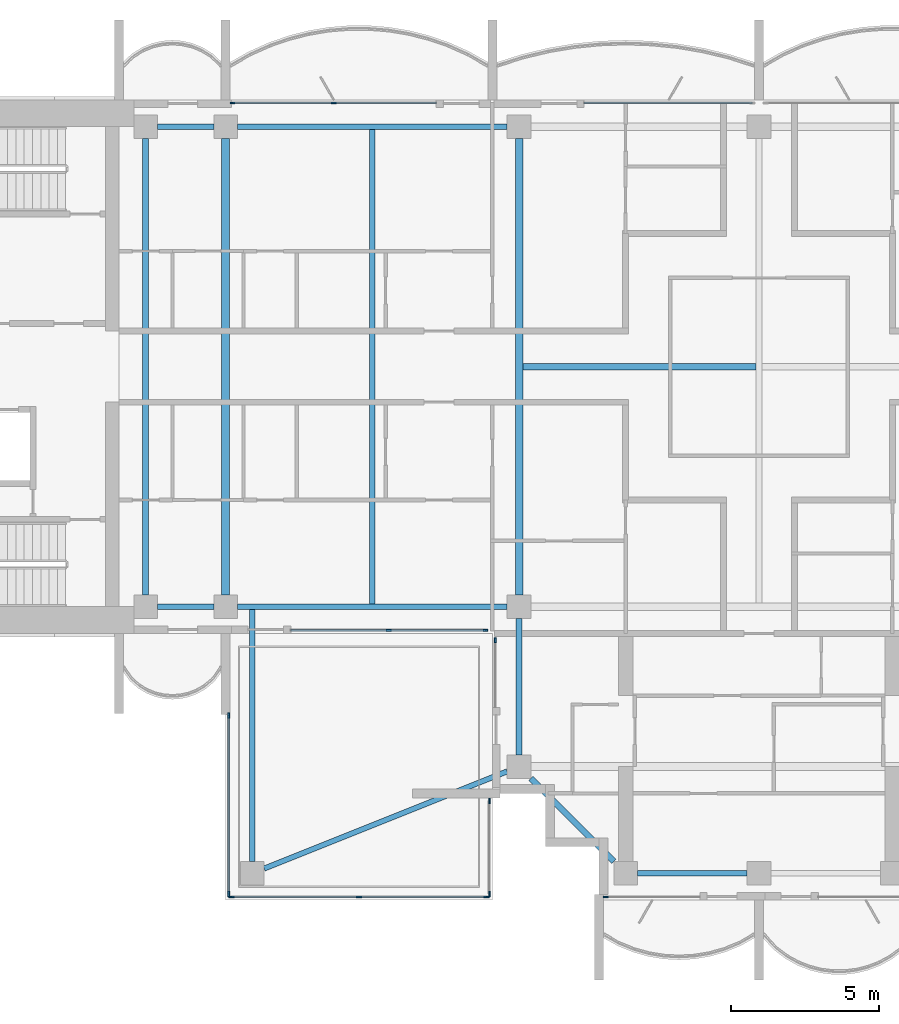
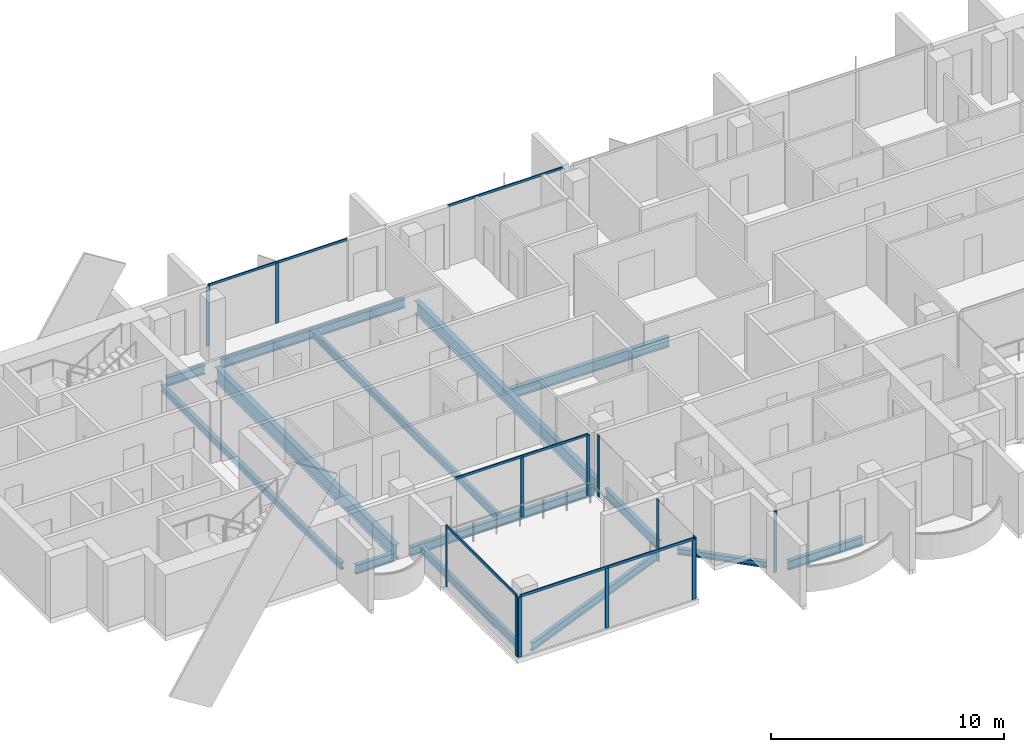
# One storey, part 2 of 18: 18 members, 14 beams, 8 elements without a shape of their own.
"""IFC4 building model written with IfcOpenShell, lengths in metres."""

from ifc_helpers import new_model, si_unit, direction, frame, origin, origin_2d, place, context, subcontext, project, spatial, rectangle, i_section, extrude, material, material_profile, profile_set, type_object, element, aggregate, save


model = new_model("IFC4")

# Units and contexts
model_context = context("Model", 3, precision=1e-05, world=origin(), true_north=direction((0.0, 1.0)))
body_context = subcontext(model_context, "Body", "Model", "MODEL_VIEW")
ifc_project = project(units=[si_unit("LENGTHUNIT", "METRE"), si_unit("AREAUNIT", "SQUARE_METRE"), si_unit("VOLUMEUNIT", "CUBIC_METRE"), si_unit("PLANEANGLEUNIT", "RADIAN"), si_unit("MASSUNIT", "GRAM", prefix="KILO")], contexts=[model_context])

# Site, building, storey
site_placement = place(None, origin())
site = spatial("IfcSite", under=ifc_project, at=site_placement, CompositionType="ELEMENT")
building_placement = place(site_placement, origin())
building = spatial("IfcBuilding", under=site, at=building_placement, Name="Perihelion Cross Residences", CompositionType="ELEMENT")
storey_placement = place(building_placement, frame((0.0, 0.0, 281.5)))
storey = spatial("IfcBuildingStorey", under=building, at=storey_placement, Name="L72", CompositionType="ELEMENT", Elevation=281.5)

# Curtain wall, members
ifc_material_1 = material(Name="Bronze anodised aluminium, tinted glazing", Category="aluminium")
curtain_wall_type_1 = type_object("IfcCurtainWallType", Name="CW1", PredefinedType="NOTDEFINED", material=ifc_material_1)
curtain_wall_1_placement = place(storey_placement, origin())
curtain_wall_1 = element("IfcCurtainWall", 1, at=curtain_wall_1_placement, inside=storey, type_object=curtain_wall_type_1, Name="Curtain wall CW1 L72 west side north bay 1", PredefinedType="NOTDEFINED")
ifc_material_2 = material(Name="Bronze anodised aluminium", Category="aluminium")
ifc_material_profile_1 = material_profile(ifc_material_2, rectangle(XDim=0.06005859375, YDim=0.159912109375, at=origin_2d()), Name="CW1 mullion")
ifc_profile_set_1 = profile_set([ifc_material_profile_1], Name="Bronze anodised aluminium")
member_type_1 = type_object("IfcMemberType", Name="CW1 mullion", PredefinedType="MULLION", material=ifc_profile_set_1)
member_1_placement = place(storey_placement, frame((-14.35009765625, 8.89990234375, 0.0), z_axis=(0.0, 0.0, 1.0), x_axis=(0.0, -1.0, 0.0)))
member_1 = element("IfcMember", 2, at=member_1_placement, type_object=member_type_1, Name="CW1 mullion 2", PredefinedType="MULLION", context=body_context, shape_type="SweptSolid", body=[
    extrude(rectangle(XDim=0.06005859375, YDim=0.159912109375, at=origin_2d()), origin(), (0.0, 0.0, 1.0), 3.139892578125),
])
member_2_placement = place(storey_placement, frame((-17.77001953125, 8.89990234375, 0.0), z_axis=(0.0, 0.0, 1.0), x_axis=(0.0, -1.0, 0.0)))
member_2 = element("IfcMember", 3, at=member_2_placement, type_object=member_type_1, Name="CW1 mullion 3", PredefinedType="MULLION", context=body_context, shape_type="SweptSolid", body=[
    extrude(rectangle(XDim=0.06005859375, YDim=0.159912109375, at=origin_2d()), origin(), (0.0, 0.0, 1.0), 3.139892578125),
])

curtain_wall_2_placement = place(storey_placement, origin())
curtain_wall_2 = element("IfcCurtainWall", 4, at=curtain_wall_2_placement, inside=storey, type_object=curtain_wall_type_1, Name="Curtain wall CW1 L72 west side south bay 2", PredefinedType="NOTDEFINED")
member_3_placement = place(storey_placement, frame((-12.5, -8.89990234375, 0.0), z_axis=(0.0, 0.0, 1.0), x_axis=(0.0, 1.0, 0.0)))
member_3 = element("IfcMember", 5, at=member_3_placement, type_object=member_type_1, Name="CW1 mullion 2", PredefinedType="MULLION", context=body_context, shape_type="SweptSolid", body=[
    extrude(rectangle(XDim=0.06005859375, YDim=0.159912109375, at=origin_2d()), origin(), (0.0, 0.0, 1.0), 3.139892578125),
])
member_4_placement = place(storey_placement, frame((-9.22998046875, -8.89990234375, 0.0), z_axis=(0.0, 0.0, 1.0), x_axis=(0.0, 1.0, 0.0)))
member_4 = element("IfcMember", 6, at=member_4_placement, type_object=member_type_1, Name="CW1 mullion 3", PredefinedType="MULLION", context=body_context, shape_type="SweptSolid", body=[
    extrude(rectangle(XDim=0.06005859375, YDim=0.159912109375, at=origin_2d()), origin(), (0.0, 0.0, 1.0), 3.139892578125),
])

# Curtain wall, member
curtain_wall_3_placement = place(storey_placement, origin())
curtain_wall_3 = element("IfcCurtainWall", 7, at=curtain_wall_3_placement, inside=storey, type_object=curtain_wall_type_1, Name="Curtain wall CW1 L72 south side west bay 1", PredefinedType="NOTDEFINED")
member_5_placement = place(storey_placement, frame((-8.89990234375, -9.22998046875, 0.0), z_axis=(0.0, 0.0, 1.0), x_axis=(1.0, 0.0, 0.0)))
member_5 = element("IfcMember", 8, at=member_5_placement, type_object=member_type_1, Name="CW1 mullion 1", PredefinedType="MULLION", context=body_context, shape_type="SweptSolid", body=[
    extrude(rectangle(XDim=0.06005859375, YDim=0.159912109375, at=origin_2d()), origin(), (0.0, 0.0, 1.0), 3.199951171875),
])
aggregate(curtain_wall_3, [member_5])

curtain_wall_4_placement = place(storey_placement, origin())
curtain_wall_4 = element("IfcCurtainWall", 9, at=curtain_wall_4_placement, inside=storey, type_object=curtain_wall_type_1, Name="Curtain wall CW1 L72 south tip south bay 1", PredefinedType="NOTDEFINED")
member_6_placement = place(storey_placement, frame((-5.169921875, -17.89990234375, 0.0), z_axis=(0.0, 0.0, 1.0), x_axis=(0.0, 1.0, 0.0)))
member_6 = element("IfcMember", 10, at=member_6_placement, type_object=member_type_1, Name="CW1 mullion 1", PredefinedType="MULLION", context=body_context, shape_type="SweptSolid", body=[
    extrude(rectangle(XDim=0.06005859375, YDim=0.159912109375, at=origin_2d()), origin(), (0.0, 0.0, 1.0), 3.199951171875),
])
aggregate(curtain_wall_4, [member_6])

curtain_wall_5_placement = place(storey_placement, origin())
curtain_wall_5 = element("IfcCurtainWall", 11, at=curtain_wall_5_placement, inside=storey, type_object=curtain_wall_type_1, Name="Curtain wall CW1 L72 north side east bay 2", PredefinedType="NOTDEFINED")
ifc_material_3 = material(Name="Bronze anodised aluminium", Category="aluminium")
ifc_material_profile_2 = material_profile(ifc_material_3, rectangle(XDim=0.06005859375, YDim=0.1201171875, at=origin_2d()), Name="CW1 transom")
ifc_profile_set_2 = profile_set([ifc_material_profile_2], Name="Bronze anodised aluminium")
member_type_2 = type_object("IfcMemberType", Name="CW1 transom", PredefinedType="USERDEFINED", material=ifc_profile_set_2)
member_7_placement = place(storey_placement, frame((-0.22998046875, 8.89990234375, 3.169921875), z_axis=(-1.0, 0.0, 0.0), x_axis=(0.0, -1.0, 0.0)))
member_7 = element("IfcMember", 12, at=member_7_placement, type_object=member_type_2, Name="CW1 head transom", ObjectType="TRANSOM", PredefinedType="USERDEFINED", context=body_context, shape_type="SweptSolid", body=[
    extrude(rectangle(XDim=0.06005859375, YDim=0.1201171875, at=origin_2d()), origin(), (0.0, 0.0, 1.0), 5.669921875),
])
aggregate(curtain_wall_5, [member_7])

# Member
member_8_placement = place(storey_placement, frame((-10.89990234375, 8.89990234375, 3.169921875), z_axis=(-1.0, 0.0, 0.0), x_axis=(0.0, -1.0, 0.0)))
member_8 = element("IfcMember", 13, at=member_8_placement, type_object=member_type_2, Name="CW1 head transom", ObjectType="TRANSOM", PredefinedType="USERDEFINED", context=body_context, shape_type="SweptSolid", body=[
    extrude(rectangle(XDim=0.06005859375, YDim=0.1201171875, at=origin_2d()), origin(), (0.0, 0.0, 1.0), 6.8701171875),
])

aggregate(curtain_wall_1, [member_1, member_2, member_8])

member_9_placement = place(storey_placement, frame((-15.800048828125, -8.89990234375, 3.169921875), z_axis=(1.0, 0.0, 0.0), x_axis=(0.0, 1.0, 0.0)))
member_9 = element("IfcMember", 14, at=member_9_placement, type_object=member_type_2, Name="CW1 head transom", ObjectType="TRANSOM", PredefinedType="USERDEFINED", context=body_context, shape_type="SweptSolid", body=[
    extrude(rectangle(XDim=0.06005859375, YDim=0.1201171875, at=origin_2d()), origin(), (0.0, 0.0, 1.0), 6.570068359375),
])

aggregate(curtain_wall_2, [member_3, member_4, member_9])

# Curtain wall, members
ifc_material_4 = material(Name="Bronze anodised aluminium, tinted glazing", Category="aluminium")
curtain_wall_type_2 = type_object("IfcCurtainWallType", Name="CW4", PredefinedType="NOTDEFINED", material=ifc_material_4)
curtain_wall_6_placement = place(storey_placement, origin())
curtain_wall_6 = element("IfcCurtainWall", 15, at=curtain_wall_6_placement, inside=storey, type_object=curtain_wall_type_2, Name="Curtain wall CW4 L72 pocket south-west 1 1", PredefinedType="NOTDEFINED")
ifc_material_5 = material(Name="Bronze anodised aluminium", Category="aluminium")
ifc_material_profile_3 = material_profile(ifc_material_5, rectangle(XDim=0.06005859375, YDim=0.179931640625, at=origin_2d()), Name="CW4 mullion")
ifc_profile_set_3 = profile_set([ifc_material_profile_3], Name="Bronze anodised aluminium")
member_type_3 = type_object("IfcMemberType", Name="CW4 mullion", PredefinedType="MULLION", material=ifc_profile_set_3)
member_10_placement = place(storey_placement, frame((-9.10009765625, -14.658935546875, 0.0), z_axis=(0.0, 0.0, 1.0), x_axis=(1.0, 0.0, 0.0)))
member_10 = element("IfcMember", 16, at=member_10_placement, type_object=member_type_3, Name="CW4 mullion 1", PredefinedType="MULLION", context=body_context, shape_type="SweptSolid", body=[
    extrude(rectangle(XDim=0.06005859375, YDim=0.179931640625, at=origin_2d()), origin(), (0.0, 0.0, 1.0), 3.199951171875),
])
member_11_placement = place(storey_placement, frame((-9.10009765625, -17.800048828125, 0.0), z_axis=(0.0, 0.0, 1.0), x_axis=(1.0, 0.0, 0.0)))
member_11 = element("IfcMember", 17, at=member_11_placement, type_object=member_type_3, Name="CW4 mullion 2", PredefinedType="MULLION", context=body_context, shape_type="SweptSolid", body=[
    extrude(rectangle(XDim=0.06005859375, YDim=0.179931640625, at=origin_2d()), origin(), (0.0, 0.0, 1.0), 3.199951171875),
])
aggregate(curtain_wall_6, [member_10, member_11])

curtain_wall_7_placement = place(storey_placement, origin())
curtain_wall_7 = element("IfcCurtainWall", 18, at=curtain_wall_7_placement, inside=storey, type_object=curtain_wall_type_2, Name="Curtain wall CW4 L72 pocket south-west 1 2", PredefinedType="NOTDEFINED")
member_12_placement = place(storey_placement, frame((-9.199951171875, -17.89990234375, 0.0), z_axis=(0.0, 0.0, 1.0), x_axis=(0.0, -1.0, 0.0)))
member_12 = element("IfcMember", 19, at=member_12_placement, type_object=member_type_3, Name="CW4 mullion 1", PredefinedType="MULLION", context=body_context, shape_type="SweptSolid", body=[
    extrude(rectangle(XDim=0.06005859375, YDim=0.179931640625, at=origin_2d()), origin(), (0.0, 0.0, 1.0), 3.139892578125),
])
member_13_placement = place(storey_placement, frame((-13.5, -17.89990234375, 0.0), z_axis=(0.0, 0.0, 1.0), x_axis=(0.0, -1.0, 0.0)))
member_13 = element("IfcMember", 20, at=member_13_placement, type_object=member_type_3, Name="CW4 mullion 2", PredefinedType="MULLION", context=body_context, shape_type="SweptSolid", body=[
    extrude(rectangle(XDim=0.06005859375, YDim=0.179931640625, at=origin_2d()), origin(), (0.0, 0.0, 1.0), 3.139892578125),
])
member_14_placement = place(storey_placement, frame((-17.800048828125, -17.89990234375, 0.0), z_axis=(0.0, 0.0, 1.0), x_axis=(0.0, -1.0, 0.0)))
member_14 = element("IfcMember", 21, at=member_14_placement, type_object=member_type_3, Name="CW4 mullion 3", PredefinedType="MULLION", context=body_context, shape_type="SweptSolid", body=[
    extrude(rectangle(XDim=0.06005859375, YDim=0.179931640625, at=origin_2d()), origin(), (0.0, 0.0, 1.0), 3.139892578125),
])

curtain_wall_8_placement = place(storey_placement, origin())
curtain_wall_8 = element("IfcCurtainWall", 22, at=curtain_wall_8_placement, inside=storey, type_object=curtain_wall_type_2, Name="Curtain wall CW4 L72 pocket south-west 1 3", PredefinedType="NOTDEFINED")
member_15_placement = place(storey_placement, frame((-17.89990234375, -17.800048828125, 0.0), z_axis=(0.0, 0.0, 1.0), x_axis=(-1.0, 0.0, 0.0)))
member_15 = element("IfcMember", 23, at=member_15_placement, type_object=member_type_3, Name="CW4 mullion 1", PredefinedType="MULLION", context=body_context, shape_type="SweptSolid", body=[
    extrude(rectangle(XDim=0.06005859375, YDim=0.179931640625, at=origin_2d()), origin(), (0.0, 0.0, 1.0), 3.139892578125),
])
member_16_placement = place(storey_placement, frame((-17.89990234375, -11.77001953125, 0.0), z_axis=(0.0, 0.0, 1.0), x_axis=(-1.0, 0.0, 0.0)))
member_16 = element("IfcMember", 24, at=member_16_placement, type_object=member_type_3, Name="CW4 mullion 2", PredefinedType="MULLION", context=body_context, shape_type="SweptSolid", body=[
    extrude(rectangle(XDim=0.06005859375, YDim=0.179931640625, at=origin_2d()), origin(), (0.0, 0.0, 1.0), 3.139892578125),
])

# Member
ifc_material_6 = material(Name="Bronze anodised aluminium", Category="aluminium")
ifc_material_profile_4 = material_profile(ifc_material_6, rectangle(XDim=0.06005859375, YDim=0.139892578125, at=origin_2d()), Name="CW4 transom")
ifc_profile_set_4 = profile_set([ifc_material_profile_4], Name="Bronze anodised aluminium")
member_type_4 = type_object("IfcMemberType", Name="CW4 transom", PredefinedType="USERDEFINED", material=ifc_profile_set_4)
member_17_placement = place(storey_placement, frame((-9.199951171875, -17.89990234375, 3.169921875), z_axis=(-1.0, 0.0, 0.0), x_axis=(0.0, -1.0, 0.0)))
member_17 = element("IfcMember", 25, at=member_17_placement, type_object=member_type_4, Name="CW4 head transom", ObjectType="TRANSOM", PredefinedType="USERDEFINED", context=body_context, shape_type="SweptSolid", body=[
    extrude(rectangle(XDim=0.06005859375, YDim=0.139892578125, at=origin_2d()), origin(), (0.0, 0.0, 1.0), 8.60009765625),
])

aggregate(curtain_wall_7, [member_12, member_13, member_14, member_17])

member_18_placement = place(storey_placement, frame((-17.89990234375, -17.800048828125, 3.169921875), z_axis=(0.0, 1.0, 0.0), x_axis=(-1.0, 0.0, 0.0)))
member_18 = element("IfcMember", 26, at=member_18_placement, type_object=member_type_4, Name="CW4 head transom", ObjectType="TRANSOM", PredefinedType="USERDEFINED", context=body_context, shape_type="SweptSolid", body=[
    extrude(rectangle(XDim=0.06005859375, YDim=0.139892578125, at=origin_2d()), origin(), (0.0, 0.0, 1.0), 6.030029296875),
])

aggregate(curtain_wall_8, [member_15, member_16, member_18])

# Beams
ifc_material_7 = material(Name="Steel S355", Category="steel")
ifc_material_profile_5 = material_profile(ifc_material_7, i_section(OverallWidth=0.205078125, OverallDepth=0.35302734375, WebThickness=0.009521484375, FlangeThickness=0.016845703125, at=origin_2d()), Name="W360x79")
ifc_profile_set_5 = profile_set([ifc_material_profile_5], Name="Steel S355")
beam_type_1 = type_object("IfcBeamType", Name="Core edge beam W360x79", PredefinedType="BEAM", material=ifc_profile_set_5)
beam_1_placement = place(storey_placement, frame((-20.699951171875, -7.699951171875, -0.426513671875), z_axis=(0.0, 1.0, 0.0), x_axis=(-1.0, 0.0, 0.0)))
element("IfcBeam", 27, at=beam_1_placement, inside=storey, type_object=beam_type_1, Name="Core edge beam TB7 L72 no. 1", PredefinedType="BEAM", context=body_context, shape_type="SweptSolid", body=[
    extrude(i_section(OverallWidth=0.205078125, OverallDepth=0.35302734375, WebThickness=0.009521484375, FlangeThickness=0.016845703125, at=origin_2d()), origin(), (0.0, 0.0, 1.0), 15.39990234375),
])
ifc_material_8 = material(Name="Steel S355", Category="steel")
ifc_material_profile_6 = material_profile(ifc_material_8, i_section(OverallWidth=0.177978515625, OverallDepth=0.406005859375, WebThickness=0.0078125, FlangeThickness=0.0126953125, at=origin_2d()), Name="W410x60")
ifc_profile_set_6 = profile_set([ifc_material_profile_6], Name="Steel S355")
beam_type_2 = type_object("IfcBeamType", Name="Core edge beam W410x60", PredefinedType="BEAM", material=ifc_profile_set_6)
beam_2_placement = place(storey_placement, frame((-17.10009765625, -8.197021484375, -0.452880859375), z_axis=(0.0, -1.0, 0.0), x_axis=(1.0, 0.0, 0.0)))
element("IfcBeam", 28, at=beam_2_placement, inside=storey, type_object=beam_type_2, Name="Core edge beam TB2 L72 corner no. 1", PredefinedType="BEAM", context=body_context, shape_type="SweptSolid", body=[
    extrude(i_section(OverallWidth=0.177978515625, OverallDepth=0.406005859375, WebThickness=0.0078125, FlangeThickness=0.0126953125, at=origin_2d()), origin(), (0.0, 0.0, 1.0), 8.5029296875),
])
beam_3_placement = place(storey_placement, frame((-8.5, -13.659912109375, -0.452880859375), z_axis=(-0.928474784399, -0.371395442534, 0.0), x_axis=(0.371395442534, -0.928474784399, 0.0)))
element("IfcBeam", 29, at=beam_3_placement, inside=storey, type_object=beam_type_2, Name="Core edge beam TB2 L72 corner no. 2", PredefinedType="BEAM", context=body_context, shape_type="SweptSolid", body=[
    extrude(i_section(OverallWidth=0.177978515625, OverallDepth=0.406005859375, WebThickness=0.0078125, FlangeThickness=0.0126953125, at=origin_2d()), origin(), (0.0, 0.0, 1.0), 8.83154296875),
])
ifc_material_9 = material(Name="Steel S355", Category="steel")
ifc_material_profile_7 = material_profile(ifc_material_9, i_section(OverallWidth=0.194091796875, OverallDepth=0.469970703125, WebThickness=0.0126953125, FlangeThickness=0.0205078125, at=origin_2d()), Name="W460x106")
ifc_profile_set_7 = profile_set([ifc_material_profile_7], Name="Steel S355")
beam_type_3 = type_object("IfcBeamType", Name="Edge beam W460x106", PredefinedType="SPANDREL", material=ifc_profile_set_7)
beam_4_placement = place(storey_placement, frame((-8.5, 8.10009765625, -0.485107421875), z_axis=(-1.0, 0.0, 0.0), x_axis=(0.0, -1.0, 0.0)))
element("IfcBeam", 30, at=beam_4_placement, inside=storey, type_object=beam_type_3, Name="Edge beam SB5 L72 no. 6", PredefinedType="SPANDREL", context=body_context, shape_type="SweptSolid", body=[
    extrude(i_section(OverallWidth=0.194091796875, OverallDepth=0.469970703125, WebThickness=0.0126953125, FlangeThickness=0.0205078125, at=origin_2d()), origin(), (0.0, 0.0, 1.0), 9.10009765625),
])
for number, where, z_axis, x_axis, name in (
    (31, (-18.39990234375, 8.10009765625, -0.485107421875), (-1.0, 0.0, 0.0), (0.0, -1.0, 0.0), "Edge beam SB5 L72 no. 2"),
    (32, (-20.300048828125, -8.10009765625, -0.485107421875), (1.0, 0.0, 0.0), (0.0, 1.0, 0.0), "Edge beam SB5 L72 no. 3"),
):
    element("IfcBeam", number, at=place(storey_placement, frame(where, z_axis=z_axis, x_axis=x_axis)), inside=storey, type_object=beam_type_3, Name=name, PredefinedType="SPANDREL", context=body_context, shape_type="SweptSolid", body=[
        extrude(i_section(OverallWidth=0.194091796875, OverallDepth=0.469970703125, WebThickness=0.0126953125, FlangeThickness=0.0205078125, at=origin_2d()), origin(), (0.0, 0.0, 1.0), 1.900146484375),
    ])
beam_5_placement = place(storey_placement, frame((-17.60009765625, -8.10009765625, -0.485107421875), z_axis=(1.0, 0.0, 0.0), x_axis=(0.0, 1.0, 0.0)))
element("IfcBeam", 33, at=beam_5_placement, inside=storey, type_object=beam_type_3, Name="Edge beam SB5 L72 no. 1", PredefinedType="SPANDREL", context=body_context, shape_type="SweptSolid", body=[
    extrude(i_section(OverallWidth=0.194091796875, OverallDepth=0.469970703125, WebThickness=0.0126953125, FlangeThickness=0.0205078125, at=origin_2d()), origin(), (0.0, 0.0, 1.0), 9.10009765625),
])
beam_6_placement = place(storey_placement, frame((-8.10009765625, -8.5, -0.485107421875), z_axis=(0.0, -1.0, 0.0), x_axis=(1.0, 0.0, 0.0)))
element("IfcBeam", 34, at=beam_6_placement, inside=storey, type_object=beam_type_3, Name="Edge beam SB5 L72 no. 5", PredefinedType="SPANDREL", context=body_context, shape_type="SweptSolid", body=[
    extrude(i_section(OverallWidth=0.194091796875, OverallDepth=0.469970703125, WebThickness=0.0126953125, FlangeThickness=0.0205078125, at=origin_2d()), origin(), (0.0, 0.0, 1.0), 4.60009765625),
])
beam_7_placement = place(storey_placement, frame((-4.10009765625, -17.10009765625, -0.485107421875), z_axis=(1.0, 0.0, 0.0), x_axis=(0.0, 1.0, 0.0)))
element("IfcBeam", 35, at=beam_7_placement, inside=storey, type_object=beam_type_3, Name="Edge beam SB5 L72 no. 4", PredefinedType="SPANDREL", context=body_context, shape_type="SweptSolid", body=[
    extrude(i_section(OverallWidth=0.194091796875, OverallDepth=0.469970703125, WebThickness=0.0126953125, FlangeThickness=0.0205078125, at=origin_2d()), origin(), (0.0, 0.0, 1.0), 3.7001953125),
])
ifc_material_10 = material(Name="Steel S355", Category="steel")
ifc_material_profile_8 = material_profile(ifc_material_10, i_section(OverallWidth=0.26708984375, OverallDepth=0.75390625, WebThickness=0.01318359375, FlangeThickness=0.01708984375, at=origin_2d()), Name="W760x147")
ifc_profile_set_8 = profile_set([ifc_material_profile_8], Name="Steel S355")
beam_type_4 = type_object("IfcBeamType", Name="Floor girder W760x147", PredefinedType="BEAM", material=ifc_profile_set_8)
beam_8_placement = place(storey_placement, frame((-18.0, -7.699951171875, -0.626953125), z_axis=(0.0, 1.0, 0.0), x_axis=(-1.0, 0.0, 0.0)))
element("IfcBeam", 36, at=beam_8_placement, inside=storey, type_object=beam_type_4, Name="Girder G5 L72 no. 1", PredefinedType="BEAM", context=body_context, shape_type="SweptSolid", body=[
    extrude(i_section(OverallWidth=0.26708984375, OverallDepth=0.75390625, WebThickness=0.01318359375, FlangeThickness=0.01708984375, at=origin_2d()), origin(), (0.0, 0.0, 1.0), 15.39990234375),
])
ifc_material_11 = material(Name="Steel S355", Category="steel")
ifc_material_profile_9 = material_profile(ifc_material_11, i_section(OverallWidth=0.177978515625, OverallDepth=0.406005859375, WebThickness=0.0078125, FlangeThickness=0.0126953125, at=origin_2d()), Name="W410x60")
ifc_profile_set_9 = profile_set([ifc_material_profile_9], Name="Steel S355")
beam_type_5 = type_object("IfcBeamType", Name="Floor joist W410x60", PredefinedType="JOIST", material=ifc_profile_set_9)
beam_9_placement = place(storey_placement, frame((-13.050048828125, -8.0029296875, -0.452880859375), z_axis=(0.0, 1.0, 0.0), x_axis=(-1.0, 0.0, 0.0)))
element("IfcBeam", 37, at=beam_9_placement, inside=storey, type_object=beam_type_5, Name="Joist J6 L72 no. 1", PredefinedType="JOIST", context=body_context, shape_type="SweptSolid", body=[
    extrude(i_section(OverallWidth=0.177978515625, OverallDepth=0.406005859375, WebThickness=0.0078125, FlangeThickness=0.0126953125, at=origin_2d()), origin(), (0.0, 0.0, 1.0), 16.005859375),
])
ifc_material_12 = material(Name="Steel S355", Category="steel")
ifc_material_profile_10 = material_profile(ifc_material_12, i_section(OverallWidth=0.208984375, OverallDepth=0.532958984375, WebThickness=0.01025390625, FlangeThickness=0.015625, at=origin_2d()), Name="W530x92")
ifc_profile_set_10 = profile_set([ifc_material_profile_10], Name="Steel S355")
beam_type_6 = type_object("IfcBeamType", Name="Hub cross beam W530x92", PredefinedType="BEAM", material=ifc_profile_set_10)
beam_10_placement = place(storey_placement, frame((-7.972900390625, 0.0, -0.5166015625), z_axis=(1.0, 0.0, 0.0), x_axis=(0.0, 1.0, 0.0)))
element("IfcBeam", 38, at=beam_10_placement, inside=storey, type_object=beam_type_6, Name="Hub cross beam XB5 L72 1 no. 1", PredefinedType="BEAM", context=body_context, shape_type="SweptSolid", body=[
    extrude(i_section(OverallWidth=0.208984375, OverallDepth=0.532958984375, WebThickness=0.01025390625, FlangeThickness=0.015625, at=origin_2d()), origin(), (0.0, 0.0, 1.0), 7.868408203125),
])
ifc_material_13 = material(Name="Steel S355", Category="steel")
ifc_material_profile_11 = material_profile(ifc_material_13, i_section(OverallWidth=0.25390625, OverallDepth=0.677978515625, WebThickness=0.01171875, FlangeThickness=0.016357421875, at=origin_2d()), Name="W690x125")
ifc_profile_set_11 = profile_set([ifc_material_profile_11], Name="Steel S355")
beam_type_7 = type_object("IfcBeamType", Name="Hub ring girder W690x125", PredefinedType="BEAM", material=ifc_profile_set_11)
beam_11_placement = place(storey_placement, frame((-8.10009765625, 7.699951171875, -0.589111328125), z_axis=(0.0, -1.0, 0.0), x_axis=(1.0, 0.0, 0.0)))
element("IfcBeam", 39, at=beam_11_placement, inside=storey, type_object=beam_type_7, Name="Hub ring girder RG5 L72 no. 2", PredefinedType="BEAM", context=body_context, shape_type="SweptSolid", body=[
    extrude(i_section(OverallWidth=0.25390625, OverallDepth=0.677978515625, WebThickness=0.01171875, FlangeThickness=0.016357421875, at=origin_2d()), origin(), (0.0, 0.0, 1.0), 15.39990234375),
])
ifc_material_14 = material(Name="Steel S355", Category="steel")
ifc_material_profile_12 = material_profile(ifc_material_14, i_section(OverallWidth=0.202880859375, OverallDepth=0.302001953125, WebThickness=0.007568359375, FlangeThickness=0.01318359375, at=origin_2d()), Name="W310x60")
ifc_profile_set_12 = profile_set([ifc_material_profile_12], Name="Steel S355")
beam_type_8 = type_object("IfcBeamType", Name="Serration edge beam W310x60", PredefinedType="BEAM", material=ifc_profile_set_12)
beam_12_placement = place(storey_placement, frame((-7.699951171875, -13.89990234375, -0.40087890625), z_axis=(0.707106781187, -0.707106781187, 0.0), x_axis=(0.707106781187, 0.707106781187, 0.0)))
element("IfcBeam", 40, at=beam_12_placement, inside=storey, type_object=beam_type_8, Name="Serration edge beam EB5 L72 no. 1", PredefinedType="BEAM", context=body_context, shape_type="SweptSolid", body=[
    extrude(i_section(OverallWidth=0.202880859375, OverallDepth=0.302001953125, WebThickness=0.007568359375, FlangeThickness=0.01318359375, at=origin_2d()), origin(), (0.0, 0.0, 1.0), 3.9599609375),
])

save(model, "model.ifc")
